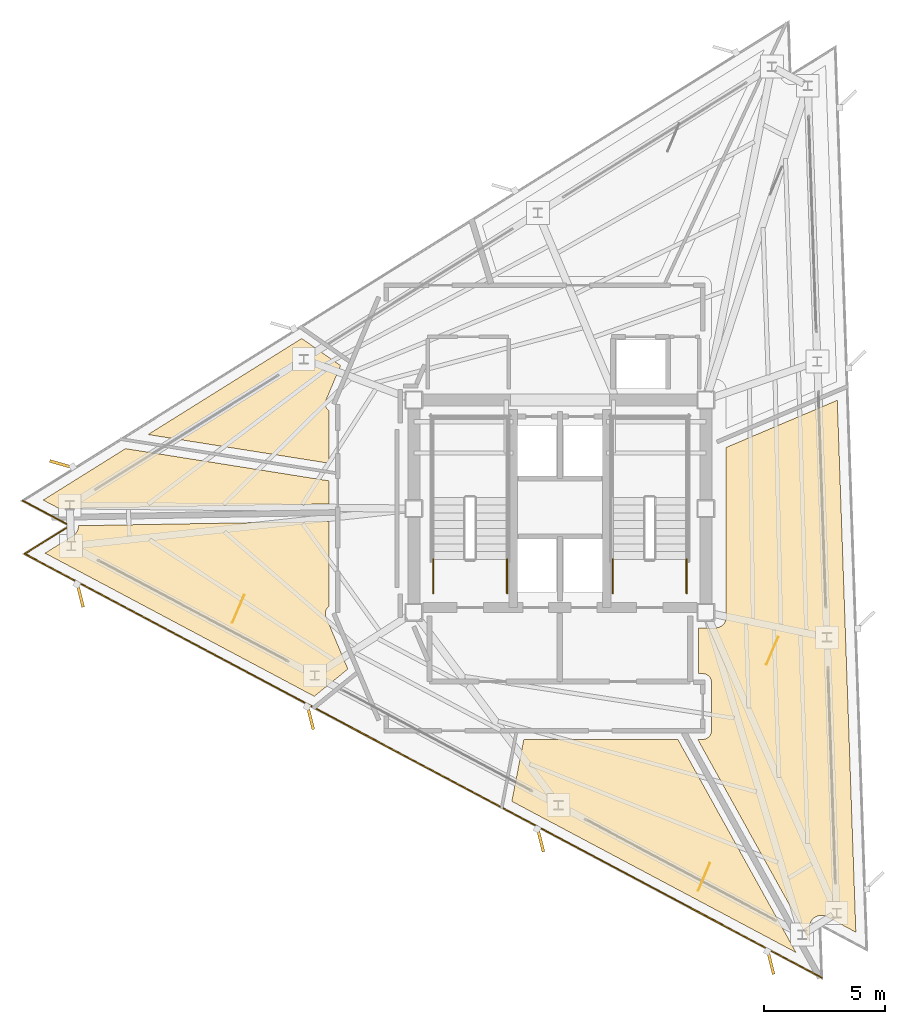
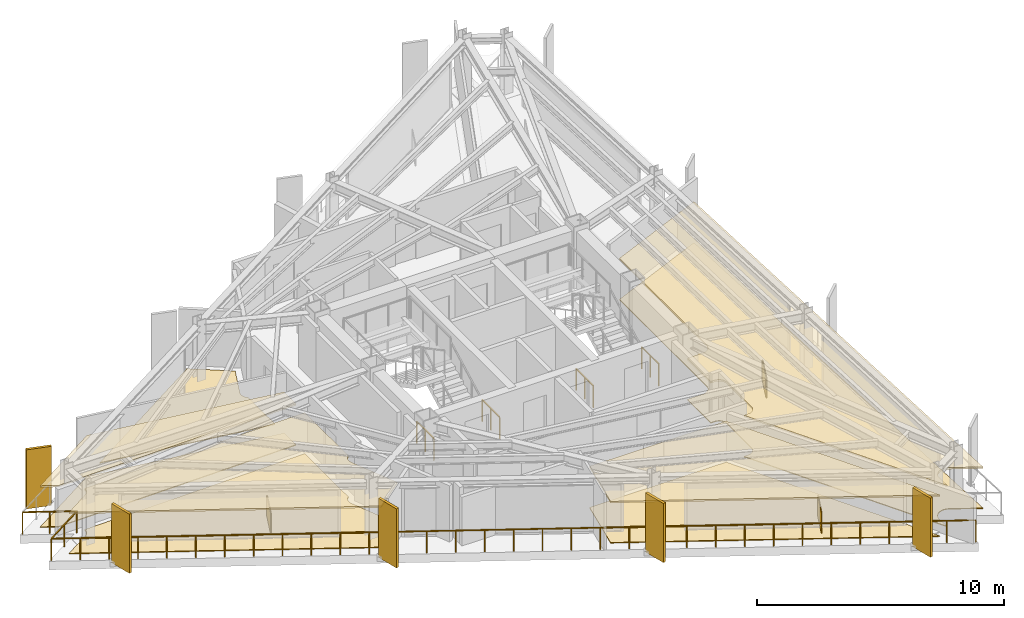
# One storey, part 11 of 13: 12 coverings, 5 railings, 5 shading devices.
"""IFC4 building model written with IfcOpenShell, lengths in metres."""

from ifc_helpers import new_model, si_unit, direction, frame, origin, origin_2d, place, context, subcontext, project, spatial, polyline, rectangle, outline, extrude, material, layer, layer_set, type_object, element, save


model = new_model("IFC4")

# Units and contexts
model_context = context("Model", 3, precision=1e-05, world=origin(), true_north=direction((0.0, 1.0)))
body_context = subcontext(model_context, "Body", "Model", "MODEL_VIEW")
ifc_project = project(units=[si_unit("LENGTHUNIT", "METRE"), si_unit("AREAUNIT", "SQUARE_METRE"), si_unit("VOLUMEUNIT", "CUBIC_METRE"), si_unit("PLANEANGLEUNIT", "RADIAN"), si_unit("MASSUNIT", "GRAM", prefix="KILO")], contexts=[model_context])

# Site, building, storey
site_placement = place(None, origin())
site = spatial("IfcSite", under=ifc_project, at=site_placement, CompositionType="ELEMENT")
building_placement = place(site_placement, origin())
building = spatial("IfcBuilding", under=site, at=building_placement, Name="Rocaltana Carrier Exchange", CompositionType="ELEMENT")
storey_placement = place(building_placement, frame((0.0, 0.0, 193.60009765625)))
storey = spatial("IfcBuildingStorey", under=building, at=storey_placement, Name="L61", CompositionType="ELEMENT", Elevation=193.60009765625)

# Coverings
ifc_material_1 = material(Name="Honed Bogota Sandstone Tile", Category="masonry")
ifc_layer_1 = layer(ifc_material_1, 0.0400390625)
ifc_layer_set_1 = layer_set([ifc_layer_1], Name="Honed Bogota Sandstone Tile")
covering_type_1 = type_object("IfcCoveringType", Name="Honed Stone Lobby Flooring 40", PredefinedType="FLOORING", material=ifc_layer_set_1)
covering_1_placement = place(storey_placement, origin())
element("IfcCovering", 1, at=covering_1_placement, inside=storey, type_object=covering_type_1, Name="L61 Peering Conference Room Finish Floor", PredefinedType="FLOORING", context=body_context, shape_type="SweptSolid", body=[
    extrude(outline(polyline([(-20.17138671875, -1.120361328125), (-20.15966796875, -1.11279296875), (-20.143310546875, -1.101318359375), (-20.121337890625, -1.084228515625), (-20.106201171875, -1.0712890625), (-20.085693359375, -1.052001953125), (-20.072021484375, -1.03759765625), (-20.0537109375, -1.0166015625), (-20.04150390625, -1.000732421875), (-20.025390625, -0.97802734375), (-20.014892578125, -0.961181640625), (-20.001220703125, -0.936767578125), (-19.9921875, -0.9189453125), (-19.98095703125, -0.893310546875), (-19.973876953125, -0.874755859375), (-19.965087890625, -0.848388671875), (-19.9599609375, -0.8291015625), (-19.9541015625, -0.8017578125), (-19.95068359375, -0.781982421875), (-19.947509765625, -0.75439453125), (-19.9462890625, -0.734375), (-19.94580078125, -0.708251953125), (-9.56005859375, -0.52685546875), (-9.56005859375, -4.052001953125), (-9.57177734375, -4.06005859375), (-9.578125, -4.064697265625), (-9.59912109375, -4.082275390625), (-9.60498046875, -4.087646484375), (-9.624267578125, -4.107177734375), (-9.629638671875, -4.113037109375), (-9.64697265625, -4.134521484375), (-9.651611328125, -4.140625), (-9.666748046875, -4.16357421875), (-9.670654296875, -4.17041015625), (-9.68359375, -4.194580078125), (-9.686767578125, -4.201904296875), (-9.697265625, -4.227294921875), (-9.69970703125, -4.234619140625), (-9.70751953125, -4.260986328125), (-9.70947265625, -4.2685546875), (-9.714599609375, -4.295654296875), (-9.7158203125, -4.30322265625), (-9.718505859375, -4.330810546875), (-9.71875, -4.33837890625), (-9.718505859375, -4.365966796875), (-9.71826171875, -4.373779296875), (-9.71533203125, -4.401123046875), (-9.714111328125, -4.408935546875), (-9.70849609375, -4.435791015625), (-9.706787109375, -4.443603515625), (-9.698486328125, -4.4697265625), (-9.69580078125, -4.47705078125), (-9.69091796875, -4.489990234375), (-8.782958984375, -6.649169921875), (-10.17626953125, -7.77734375), (-21.33203125, -1.845703125), (-20.17138671875, -1.120361328125)])), origin(), (0.0, 0.0, 1.0), 0.039794921875),
])
covering_2_placement = place(storey_placement, origin())
element("IfcCovering", 2, at=covering_2_placement, inside=storey, type_object=covering_type_1, Name="L61 Peering Conference Room Finish Floor", PredefinedType="FLOORING", context=body_context, shape_type="SweptSolid", body=[
    extrude(outline(polyline([(-1.990966796875, -12.12939453125), (-1.491455078125, -9.56005859375), (4.8876953125, -9.56005859375), (9.781494140625, -18.388916015625), (-1.990966796875, -12.12939453125)])), origin(), (0.0, 0.0, 1.0), 0.039794921875),
])
covering_3_placement = place(storey_placement, origin())
element("IfcCovering", 3, at=covering_3_placement, inside=storey, type_object=covering_type_1, Name="L61 Optical Switching Laboratory Finish Floor", PredefinedType="FLOORING", context=body_context, shape_type="SweptSolid", body=[
    extrude(outline(polyline([(5.739990234375, -6.840087890625), (5.739990234375, -4.93994140625), (6.449951171875, -4.93994140625), (6.463623046875, -4.939697265625), (6.4794921875, -4.93896484375), (6.5068359375, -4.936279296875), (6.522216796875, -4.933837890625), (6.54931640625, -4.928466796875), (6.564453125, -4.9248046875), (6.5908203125, -4.916748046875), (6.605712890625, -4.91162109375), (6.630859375, -4.90087890625), (6.64501953125, -4.894287109375), (6.66943359375, -4.88134765625), (6.682861328125, -4.873291015625), (6.705810546875, -4.85791015625), (6.71826171875, -4.8486328125), (6.739501953125, -4.8310546875), (6.751220703125, -4.820556640625), (6.7705078125, -4.80126953125), (6.781005859375, -4.78955078125), (6.798583984375, -4.768310546875), (6.807861328125, -4.755615234375), (6.8232421875, -4.73291015625), (6.831298828125, -4.719482421875), (6.84423828125, -4.695068359375), (6.850830078125, -4.680908203125), (6.861572265625, -4.655517578125), (6.86669921875, -4.640869140625), (6.874755859375, -4.614501953125), (6.87841796875, -4.59912109375), (6.8837890625, -4.572265625), (6.88623046875, -4.556884765625), (6.888916015625, -4.529296875), (6.8896484375, -4.513671875), (6.889892578125, -4.5), (6.889892578125, 2.533447265625), (11.494873046875, 4.488037109375), (12.264404296875, -17.55126953125), (11.055908203125, -16.90869140625), (11.04345703125, -16.902587890625), (11.025390625, -16.89404296875), (10.99951171875, -16.883544921875), (10.980712890625, -16.876708984375), (10.9541015625, -16.868896484375), (10.9345703125, -16.8642578125), (10.9072265625, -16.85888671875), (10.887451171875, -16.856201171875), (10.859619140625, -16.853515625), (10.83984375, -16.852783203125), (10.81201171875, -16.85302734375), (10.7919921875, -16.854248046875), (10.76416015625, -16.857421875), (10.744384765625, -16.860595703125), (10.71728515625, -16.8662109375), (10.697998046875, -16.871337890625), (10.67138671875, -16.8798828125), (10.652587890625, -16.886962890625), (10.627197265625, -16.89794921875), (10.609130859375, -16.906982421875), (10.584716796875, -16.92041015625), (10.56787109375, -16.930908203125), (10.544921875, -16.947021484375), (10.529296875, -16.959228515625), (10.508056640625, -16.977294921875), (10.49365234375, -16.990966796875), (10.474365234375, -17.01123046875), (10.461181640625, -17.0263671875), (10.444091796875, -17.04833984375), (10.4326171875, -17.064697265625), (10.41748046875, -17.088134765625), (10.407958984375, -17.105712890625), (10.3955078125, -17.130615234375), (10.38720703125, -17.148681640625), (10.37744140625, -17.1748046875), (10.37109375, -17.19384765625), (10.364013671875, -17.220703125), (10.359619140625, -17.240234375), (10.35498046875, -17.267822265625), (10.352783203125, -17.28759765625), (10.35107421875, -17.3154296875), (10.350830078125, -17.33544921875), (10.350830078125, -17.349365234375), (10.37255859375, -17.97021484375), (5.710693359375, -9.56005859375), (5.919921875, -9.56005859375), (5.93359375, -9.559814453125), (5.941650390625, -9.559326171875), (5.968994140625, -9.556640625), (5.976806640625, -9.555419921875), (6.003662109375, -9.550048828125), (6.01123046875, -9.548095703125), (6.03759765625, -9.540283203125), (6.044921875, -9.53759765625), (6.0703125, -9.527099609375), (6.077392578125, -9.523681640625), (6.101806640625, -9.5107421875), (6.1083984375, -9.506591796875), (6.131103515625, -9.491455078125), (6.137451171875, -9.48681640625), (6.15869140625, -9.46923828125), (6.16455078125, -9.464111328125), (6.18408203125, -9.444580078125), (6.189208984375, -9.438720703125), (6.206787109375, -9.41748046875), (6.21142578125, -9.4111328125), (6.226806640625, -9.388427734375), (6.230712890625, -9.381591796875), (6.24365234375, -9.357421875), (6.2470703125, -9.350341796875), (6.257568359375, -9.324951171875), (6.26025390625, -9.317626953125), (6.268310546875, -9.291259765625), (6.27001953125, -9.28369140625), (6.275390625, -9.256591796875), (6.276611328125, -9.248779296875), (6.279296875, -9.2216796875), (6.27978515625, -9.213623046875), (6.280029296875, -9.199951171875), (6.280029296875, -7.199951171875), (6.27978515625, -7.186279296875), (6.279296875, -7.178466796875), (6.276611328125, -7.151123046875), (6.275390625, -7.143310546875), (6.27001953125, -7.116455078125), (6.268310546875, -7.108642578125), (6.26025390625, -7.08251953125), (6.257568359375, -7.0751953125), (6.2470703125, -7.0498046875), (6.24365234375, -7.04248046875), (6.230712890625, -7.018310546875), (6.226806640625, -7.01171875), (6.21142578125, -6.98876953125), (6.206787109375, -6.982421875), (6.189208984375, -6.961181640625), (6.18408203125, -6.955322265625), (6.16455078125, -6.93603515625), (6.15869140625, -6.9306640625), (6.137451171875, -6.913330078125), (6.131103515625, -6.90869140625), (6.1083984375, -6.893310546875), (6.101806640625, -6.889404296875), (6.077392578125, -6.876220703125), (6.0703125, -6.873046875), (6.044921875, -6.862548828125), (6.03759765625, -6.85986328125), (6.01123046875, -6.851806640625), (6.003662109375, -6.849853515625), (5.976806640625, -6.844482421875), (5.968994140625, -6.843505859375), (5.941650390625, -6.8408203125), (5.93359375, -6.84033203125), (5.919921875, -6.840087890625), (5.739990234375, -6.840087890625)])), origin(), (0.0, 0.0, 1.0), 0.039794921875),
])
covering_4_placement = place(storey_placement, origin())
element("IfcCovering", 4, at=covering_4_placement, inside=storey, type_object=covering_type_1, Name="L61 Incident Briefing Room Finish Floor", PredefinedType="FLOORING", context=body_context, shape_type="SweptSolid", body=[
    extrude(outline(polyline([(-10.69384765625, 7.048583984375), (-9.087890625, 5.923828125), (-9.69091796875, 4.489990234375), (-9.69580078125, 4.47705078125), (-9.698486328125, 4.4697265625), (-9.706787109375, 4.443603515625), (-9.70849609375, 4.435791015625), (-9.714111328125, 4.408935546875), (-9.71533203125, 4.401123046875), (-9.71826171875, 4.373779296875), (-9.718505859375, 4.365966796875), (-9.71875, 4.33837890625), (-9.718505859375, 4.330810546875), (-9.7158203125, 4.30322265625), (-9.714599609375, 4.295654296875), (-9.70947265625, 4.2685546875), (-9.70751953125, 4.260986328125), (-9.69970703125, 4.234619140625), (-9.697265625, 4.227294921875), (-9.686767578125, 4.201904296875), (-9.68359375, 4.194580078125), (-9.670654296875, 4.17041015625), (-9.666748046875, 4.16357421875), (-9.651611328125, 4.140625), (-9.64697265625, 4.134521484375), (-9.629638671875, 4.113037109375), (-9.624267578125, 4.107177734375), (-9.60498046875, 4.087646484375), (-9.59912109375, 4.082275390625), (-9.578125, 4.064697265625), (-9.57177734375, 4.06005859375), (-9.56005859375, 4.052001953125), (-9.56005859375, 1.878662109375), (-17.065185546875, 3.0673828125), (-10.69384765625, 7.048583984375)])), origin(), (0.0, 0.0, 1.0), 0.039794921875),
])
covering_5_placement = place(storey_placement, origin())
element("IfcCovering", 5, at=covering_5_placement, inside=storey, type_object=covering_type_1, Name="L61 Carrier Peering Suite Finish Floor", PredefinedType="FLOORING", context=body_context, shape_type="SweptSolid", body=[
    extrude(outline(polyline([(-21.40869140625, 0.35302734375), (-17.995849609375, 2.48583984375), (-9.56005859375, 1.149658203125), (-9.56005859375, 0.193115234375), (-20.740966796875, -0.001953125), (-21.40869140625, 0.35302734375)])), origin(), (0.0, 0.0, 1.0), 0.039794921875),
])
ifc_material_2 = material(Name="Anodised Aluminium 6063-T6", Category="aluminium")
ifc_layer_2 = layer(ifc_material_2, 0.0849609375)
ifc_layer_set_2 = layer_set([ifc_layer_2], Name="Anodised Aluminium 6063-T6")
covering_type_2 = type_object("IfcCoveringType", Name="Linear Baffle Acoustic Ceiling 85", PredefinedType="CEILING", material=ifc_layer_set_2)
covering_6_placement = place(storey_placement, frame((0.0, 0.0, 1.98291015625)))
element("IfcCovering", 6, at=covering_6_placement, inside=storey, type_object=covering_type_2, Name="L61 Peering Conference Room Acoustic Ceiling", PredefinedType="CEILING", context=body_context, shape_type="SweptSolid", body=[
    extrude(outline(polyline([(-20.17138671875, -1.120361328125), (-20.15966796875, -1.11279296875), (-20.143310546875, -1.101318359375), (-20.121337890625, -1.084228515625), (-20.106201171875, -1.0712890625), (-20.085693359375, -1.052001953125), (-20.072021484375, -1.03759765625), (-20.0537109375, -1.0166015625), (-20.04150390625, -1.000732421875), (-20.025390625, -0.97802734375), (-20.014892578125, -0.961181640625), (-20.001220703125, -0.936767578125), (-19.9921875, -0.9189453125), (-19.98095703125, -0.893310546875), (-19.973876953125, -0.874755859375), (-19.965087890625, -0.848388671875), (-19.9599609375, -0.8291015625), (-19.9541015625, -0.8017578125), (-19.95068359375, -0.781982421875), (-19.947509765625, -0.75439453125), (-19.9462890625, -0.734375), (-19.94580078125, -0.708251953125), (-9.56005859375, -0.52685546875), (-9.56005859375, -4.052001953125), (-9.57177734375, -4.06005859375), (-9.578125, -4.064697265625), (-9.59912109375, -4.082275390625), (-9.60498046875, -4.087646484375), (-9.624267578125, -4.107177734375), (-9.629638671875, -4.113037109375), (-9.64697265625, -4.134521484375), (-9.651611328125, -4.140625), (-9.666748046875, -4.16357421875), (-9.670654296875, -4.17041015625), (-9.68359375, -4.194580078125), (-9.686767578125, -4.201904296875), (-9.697265625, -4.227294921875), (-9.69970703125, -4.234619140625), (-9.70751953125, -4.260986328125), (-9.70947265625, -4.2685546875), (-9.714599609375, -4.295654296875), (-9.7158203125, -4.30322265625), (-9.718505859375, -4.330810546875), (-9.71875, -4.33837890625), (-9.718505859375, -4.365966796875), (-9.71826171875, -4.373779296875), (-9.71533203125, -4.401123046875), (-9.714111328125, -4.408935546875), (-9.70849609375, -4.435791015625), (-9.706787109375, -4.443603515625), (-9.698486328125, -4.4697265625), (-9.69580078125, -4.47705078125), (-9.69091796875, -4.489990234375), (-8.782958984375, -6.649169921875), (-10.17626953125, -7.77734375), (-21.33203125, -1.845703125), (-20.17138671875, -1.120361328125)])), origin(), (0.0, 0.0, 1.0), 0.0849609375),
])
covering_7_placement = place(storey_placement, frame((0.0, 0.0, 1.98291015625)))
element("IfcCovering", 7, at=covering_7_placement, inside=storey, type_object=covering_type_2, Name="L61 Peering Conference Room Acoustic Ceiling", PredefinedType="CEILING", context=body_context, shape_type="SweptSolid", body=[
    extrude(outline(polyline([(-1.990966796875, -12.12939453125), (-1.491455078125, -9.56005859375), (4.8876953125, -9.56005859375), (9.781494140625, -18.388916015625), (-1.990966796875, -12.12939453125)])), origin(), (0.0, 0.0, 1.0), 0.0849609375),
])
covering_8_placement = place(storey_placement, frame((0.0, 0.0, 1.98291015625)))
element("IfcCovering", 8, at=covering_8_placement, inside=storey, type_object=covering_type_2, Name="L61 Optical Switching Laboratory Acoustic Ceiling", PredefinedType="CEILING", context=body_context, shape_type="SweptSolid", body=[
    extrude(outline(polyline([(5.739990234375, -6.840087890625), (5.739990234375, -4.93994140625), (6.449951171875, -4.93994140625), (6.463623046875, -4.939697265625), (6.4794921875, -4.93896484375), (6.5068359375, -4.936279296875), (6.522216796875, -4.933837890625), (6.54931640625, -4.928466796875), (6.564453125, -4.9248046875), (6.5908203125, -4.916748046875), (6.605712890625, -4.91162109375), (6.630859375, -4.90087890625), (6.64501953125, -4.894287109375), (6.66943359375, -4.88134765625), (6.682861328125, -4.873291015625), (6.705810546875, -4.85791015625), (6.71826171875, -4.8486328125), (6.739501953125, -4.8310546875), (6.751220703125, -4.820556640625), (6.7705078125, -4.80126953125), (6.781005859375, -4.78955078125), (6.798583984375, -4.768310546875), (6.807861328125, -4.755615234375), (6.8232421875, -4.73291015625), (6.831298828125, -4.719482421875), (6.84423828125, -4.695068359375), (6.850830078125, -4.680908203125), (6.861572265625, -4.655517578125), (6.86669921875, -4.640869140625), (6.874755859375, -4.614501953125), (6.87841796875, -4.59912109375), (6.8837890625, -4.572265625), (6.88623046875, -4.556884765625), (6.888916015625, -4.529296875), (6.8896484375, -4.513671875), (6.889892578125, -4.5), (6.889892578125, 2.533447265625), (11.494873046875, 4.488037109375), (12.264404296875, -17.55126953125), (11.055908203125, -16.90869140625), (11.04345703125, -16.902587890625), (11.025390625, -16.89404296875), (10.99951171875, -16.883544921875), (10.980712890625, -16.876708984375), (10.9541015625, -16.868896484375), (10.9345703125, -16.8642578125), (10.9072265625, -16.85888671875), (10.887451171875, -16.856201171875), (10.859619140625, -16.853515625), (10.83984375, -16.852783203125), (10.81201171875, -16.85302734375), (10.7919921875, -16.854248046875), (10.76416015625, -16.857421875), (10.744384765625, -16.860595703125), (10.71728515625, -16.8662109375), (10.697998046875, -16.871337890625), (10.67138671875, -16.8798828125), (10.652587890625, -16.886962890625), (10.627197265625, -16.89794921875), (10.609130859375, -16.906982421875), (10.584716796875, -16.92041015625), (10.56787109375, -16.930908203125), (10.544921875, -16.947021484375), (10.529296875, -16.959228515625), (10.508056640625, -16.977294921875), (10.49365234375, -16.990966796875), (10.474365234375, -17.01123046875), (10.461181640625, -17.0263671875), (10.444091796875, -17.04833984375), (10.4326171875, -17.064697265625), (10.41748046875, -17.088134765625), (10.407958984375, -17.105712890625), (10.3955078125, -17.130615234375), (10.38720703125, -17.148681640625), (10.37744140625, -17.1748046875), (10.37109375, -17.19384765625), (10.364013671875, -17.220703125), (10.359619140625, -17.240234375), (10.35498046875, -17.267822265625), (10.352783203125, -17.28759765625), (10.35107421875, -17.3154296875), (10.350830078125, -17.33544921875), (10.350830078125, -17.349365234375), (10.37255859375, -17.97021484375), (5.710693359375, -9.56005859375), (5.919921875, -9.56005859375), (5.93359375, -9.559814453125), (5.941650390625, -9.559326171875), (5.968994140625, -9.556640625), (5.976806640625, -9.555419921875), (6.003662109375, -9.550048828125), (6.01123046875, -9.548095703125), (6.03759765625, -9.540283203125), (6.044921875, -9.53759765625), (6.0703125, -9.527099609375), (6.077392578125, -9.523681640625), (6.101806640625, -9.5107421875), (6.1083984375, -9.506591796875), (6.131103515625, -9.491455078125), (6.137451171875, -9.48681640625), (6.15869140625, -9.46923828125), (6.16455078125, -9.464111328125), (6.18408203125, -9.444580078125), (6.189208984375, -9.438720703125), (6.206787109375, -9.41748046875), (6.21142578125, -9.4111328125), (6.226806640625, -9.388427734375), (6.230712890625, -9.381591796875), (6.24365234375, -9.357421875), (6.2470703125, -9.350341796875), (6.257568359375, -9.324951171875), (6.26025390625, -9.317626953125), (6.268310546875, -9.291259765625), (6.27001953125, -9.28369140625), (6.275390625, -9.256591796875), (6.276611328125, -9.248779296875), (6.279296875, -9.2216796875), (6.27978515625, -9.213623046875), (6.280029296875, -9.199951171875), (6.280029296875, -7.199951171875), (6.27978515625, -7.186279296875), (6.279296875, -7.178466796875), (6.276611328125, -7.151123046875), (6.275390625, -7.143310546875), (6.27001953125, -7.116455078125), (6.268310546875, -7.108642578125), (6.26025390625, -7.08251953125), (6.257568359375, -7.0751953125), (6.2470703125, -7.0498046875), (6.24365234375, -7.04248046875), (6.230712890625, -7.018310546875), (6.226806640625, -7.01171875), (6.21142578125, -6.98876953125), (6.206787109375, -6.982421875), (6.189208984375, -6.961181640625), (6.18408203125, -6.955322265625), (6.16455078125, -6.93603515625), (6.15869140625, -6.9306640625), (6.137451171875, -6.913330078125), (6.131103515625, -6.90869140625), (6.1083984375, -6.893310546875), (6.101806640625, -6.889404296875), (6.077392578125, -6.876220703125), (6.0703125, -6.873046875), (6.044921875, -6.862548828125), (6.03759765625, -6.85986328125), (6.01123046875, -6.851806640625), (6.003662109375, -6.849853515625), (5.976806640625, -6.844482421875), (5.968994140625, -6.843505859375), (5.941650390625, -6.8408203125), (5.93359375, -6.84033203125), (5.919921875, -6.840087890625), (5.739990234375, -6.840087890625)])), origin(), (0.0, 0.0, 1.0), 0.0849609375),
])
covering_9_placement = place(storey_placement, frame((0.0, 0.0, 1.98291015625)))
element("IfcCovering", 9, at=covering_9_placement, inside=storey, type_object=covering_type_2, Name="L61 Carrier Peering Suite Acoustic Ceiling", PredefinedType="CEILING", context=body_context, shape_type="SweptSolid", body=[
    extrude(outline(polyline([(-21.40869140625, 0.35302734375), (-17.995849609375, 2.48583984375), (-9.56005859375, 1.149658203125), (-9.56005859375, 0.193115234375), (-20.740966796875, -0.001953125), (-21.40869140625, 0.35302734375)])), origin(), (0.0, 0.0, 1.0), 0.0849609375),
])

# Railings
ifc_material_3 = material(Name="Powder-Coated Aluminium 6063-T6", Category="aluminium")
ifc_layer_3 = layer(ifc_material_3, 0.048095703125)
ifc_layer_set_3 = layer_set([ifc_layer_3], Name="Powder-Coated Aluminium 6063-T6")
railing_type_1 = type_object("IfcRailingType", Name="Stair Well Guardrail 1100", PredefinedType="GUARDRAIL", material=ifc_layer_set_3)
for number, where, name in (
    (10, (-2.18994140625, -3.5, 0.0), "L61 ST-1 stair guard 8"),
    (11, (-5.25, -3.5, 0.0), "L61 ST-1 stair guard 9"),
    (12, (5.25, -3.5, 0.0), "L61 ST-2 stair guard 8"),
    (13, (2.18994140625, -3.5, 0.0), "L61 ST-2 stair guard 9"),
):
    element("IfcRailing", number, at=place(storey_placement, frame(where)), inside=storey, type_object=railing_type_1, Name=name, PredefinedType="GUARDRAIL", context=body_context, shape_type="SweptSolid", body=[
        extrude(rectangle(XDim=0.048095703125, YDim=0.048095703125, at=origin_2d()), frame((0.0, 0.0, 1.076171875), z_axis=(0.0, 1.0, 0.0), x_axis=(-1.0, 0.0, 0.0)), (0.0, 0.0, 1.0), 1.39990234375),
        extrude(rectangle(XDim=0.0419921875, YDim=0.0419921875, at=origin_2d()), origin(), (0.0, 0.0, 1.0), 1.052001953125),
        extrude(rectangle(XDim=0.0419921875, YDim=0.0419921875, at=origin_2d()), frame((0.0, 0.699951171875, 0.0)), (0.0, 0.0, 1.0), 1.052001953125),
        extrude(rectangle(XDim=0.0419921875, YDim=0.0419921875, at=origin_2d()), frame((0.0, 1.39990234375, 0.0)), (0.0, 0.0, 1.0), 1.052001953125),
    ])

# Coverings
ifc_material_4 = material(Name="Honed Piedra Muneca Sandstone", Category="masonry")
ifc_layer_4 = layer(ifc_material_4, 0.034912109375)
ifc_layer_set_4 = layer_set([ifc_layer_4], Name="Honed Piedra Muneca Sandstone")
covering_type_3 = type_object("IfcCoveringType", Name="Stone Facade Cladding 35", PredefinedType="CLADDING", material=ifc_layer_set_4)
for number, where, z_axis, x_axis, name in (
    (14, (-13.32666015625, -4.152099609375, 0.0), (0.0, 0.0, 1.0), (0.390731128489, 0.920504853452, 0.0), "L61 Stone Facade Cladding Panel 1"),
    (15, (5.970947265625, -15.25927734375, 0.0), (0.0, 0.0, 1.0), (0.390731128489, 0.920504853452, 0.0), "L61 Stone Facade Cladding Panel 3"),
    (16, (8.798583984375, -5.889892578125, 0.0), (0.0, 0.0, 1.0), (0.390731128489, 0.920504853452, 0.0), "L61 Stone Facade Cladding Panel 4"),
):
    element("IfcCovering", number, at=place(storey_placement, frame(where, z_axis=z_axis, x_axis=x_axis)), inside=storey, type_object=covering_type_3, Name=name, PredefinedType="CLADDING", context=body_context, shape_type="SweptSolid", body=[
        extrude(rectangle(XDim=1.25, YDim=0.034912109375, at=origin_2d()), origin(), (0.0, 0.0, 1.0), 1.050048828125),
    ])

# Shading devices
ifc_material_5 = material(Name="Honed Bogota Sandstone & Concrete C45/55", Category="masonry")
ifc_layer_5 = layer(ifc_material_5, 0.1201171875)
ifc_layer_set_5 = layer_set([ifc_layer_5], Name="Honed Bogota Sandstone & Concrete C45/55")
shading_device_type = type_object("IfcShadingDeviceType", Name="Upper Sandstone Shading Fin 1050x120", PredefinedType="USERDEFINED", material=ifc_layer_set_5)
for number, where, z_axis, x_axis, name in (
    (17, (-20.62939453125, 1.8310546875, -0.1201171875), (0.0, 0.0, 1.0), (-0.961261695938, 0.275637355817, 0.0), "L61 Sandstone Vertical Fin F2-04"),
    (18, (-19.87841796875, -3.5703125, -0.1201171875), (0.0, 0.0, 1.0), (0.2419218956, -0.970295726276, 0.0), "L61 Sandstone Vertical Fin F3-01"),
    (19, (-10.342529296875, -8.640625, -0.1201171875), (0.0, 0.0, 1.0), (0.2419218956, -0.970295726276, 0.0), "L61 Sandstone Vertical Fin F3-02"),
    (20, (-0.806884765625, -13.7109375, -0.1201171875), (0.0, 0.0, 1.0), (0.2419218956, -0.970295726276, 0.0), "L61 Sandstone Vertical Fin F3-03"),
    (21, (8.72900390625, -18.78125, -0.1201171875), (0.0, 0.0, 1.0), (0.2419218956, -0.970295726276, 0.0), "L61 Sandstone Vertical Fin F3-04"),
):
    element("IfcShadingDevice", number, at=place(storey_placement, frame(where, z_axis=z_axis, x_axis=x_axis)), inside=storey, type_object=shading_device_type, Name=name, ObjectType="FIN", PredefinedType="USERDEFINED", context=body_context, shape_type="SweptSolid", body=[
        extrude(rectangle(XDim=1.050048828125, YDim=0.1201171875, at=origin_2d()), origin(), (0.0, 0.0, 1.0), 2.91796875),
    ])

# Railing
ifc_material_6 = material(Name="Powder-Coated Aluminium 6063-T6", Category="aluminium")
ifc_layer_6 = layer(ifc_material_6, 0.06005859375)
ifc_layer_set_6 = layer_set([ifc_layer_6], Name="Powder-Coated Aluminium 6063-T6")
railing_type_2 = type_object("IfcRailingType", Name="Wind-Floor & Terrace Perimeter Guardrail 1100", PredefinedType="GUARDRAIL", material=ifc_layer_set_6)
railing_placement = place(storey_placement, frame((10.84375, -19.429443359375, 0.0)))
element("IfcRailing", 22, at=railing_placement, inside=storey, type_object=railing_type_2, Name="L61 Perimeter Balcony Guardrail 1", PredefinedType="GUARDRAIL", context=body_context, shape_type="SweptSolid", body=[
    extrude(rectangle(XDim=0.048095703125, YDim=0.048095703125, at=origin_2d()), frame((0.0, 0.0, 1.076171875), z_axis=(-0.882949211739, 0.469468518103, 0.0), x_axis=(-0.469468518103, -0.882949211739, 0.0)), (0.0, 0.0, 1.0), 37.39208984375),
    extrude(rectangle(XDim=0.048095703125, YDim=0.048095703125, at=origin_2d()), frame((-33.015380859375, 17.554443359375, 1.076171875), z_axis=(0.848010771987, 0.52997899071, 0.0), x_axis=(-0.52997899071, 0.848010771987, 0.0)), (0.0, 0.0, 1.0), 2.2001953125),
    extrude(rectangle(XDim=0.048095703125, YDim=0.048095703125, at=origin_2d()), frame((-31.149658203125, 18.720458984375, 1.076171875), z_axis=(-0.882960484464, 0.4694473164, 0.0), x_axis=(-0.4694473164, -0.882960484464, 0.0)), (0.0, 0.0, 1.0), 2.199951171875),
    extrude(rectangle(XDim=0.0419921875, YDim=0.0419921875, at=origin_2d()), origin(), (0.0, 0.0, 1.0), 1.052001953125),
    extrude(rectangle(XDim=0.0419921875, YDim=0.0419921875, at=origin_2d()), frame((-1.03173828125, 0.548583984375, 0.0)), (0.0, 0.0, 1.0), 1.052001953125),
    extrude(rectangle(XDim=0.0419921875, YDim=0.0419921875, at=origin_2d()), frame((-2.0634765625, 1.09716796875, 0.0)), (0.0, 0.0, 1.0), 1.052001953125),
    extrude(rectangle(XDim=0.0419921875, YDim=0.0419921875, at=origin_2d()), frame((-3.09521484375, 1.645751953125, 0.0)), (0.0, 0.0, 1.0), 1.052001953125),
    extrude(rectangle(XDim=0.0419921875, YDim=0.0419921875, at=origin_2d()), frame((-4.126953125, 2.1943359375, 0.0)), (0.0, 0.0, 1.0), 1.052001953125),
    extrude(rectangle(XDim=0.0419921875, YDim=0.0419921875, at=origin_2d()), frame((-5.15869140625, 2.742919921875, 0.0)), (0.0, 0.0, 1.0), 1.052001953125),
    extrude(rectangle(XDim=0.0419921875, YDim=0.0419921875, at=origin_2d()), frame((-6.1904296875, 3.29150390625, 0.0)), (0.0, 0.0, 1.0), 1.052001953125),
    extrude(rectangle(XDim=0.0419921875, YDim=0.0419921875, at=origin_2d()), frame((-7.22216796875, 3.840087890625, 0.0)), (0.0, 0.0, 1.0), 1.052001953125),
    extrude(rectangle(XDim=0.0419921875, YDim=0.0419921875, at=origin_2d()), frame((-8.25390625, 4.388671875, 0.0)), (0.0, 0.0, 1.0), 1.052001953125),
    extrude(rectangle(XDim=0.0419921875, YDim=0.0419921875, at=origin_2d()), frame((-9.28564453125, 4.937255859375, 0.0)), (0.0, 0.0, 1.0), 1.052001953125),
    extrude(rectangle(XDim=0.0419921875, YDim=0.0419921875, at=origin_2d()), frame((-10.3173828125, 5.48583984375, 0.0)), (0.0, 0.0, 1.0), 1.052001953125),
    extrude(rectangle(XDim=0.0419921875, YDim=0.0419921875, at=origin_2d()), frame((-11.34912109375, 6.034423828125, 0.0)), (0.0, 0.0, 1.0), 1.052001953125),
    extrude(rectangle(XDim=0.0419921875, YDim=0.0419921875, at=origin_2d()), frame((-12.380859375, 6.5830078125, 0.0)), (0.0, 0.0, 1.0), 1.052001953125),
    extrude(rectangle(XDim=0.0419921875, YDim=0.0419921875, at=origin_2d()), frame((-13.41259765625, 7.131591796875, 0.0)), (0.0, 0.0, 1.0), 1.052001953125),
    extrude(rectangle(XDim=0.0419921875, YDim=0.0419921875, at=origin_2d()), frame((-14.4443359375, 7.68017578125, 0.0)), (0.0, 0.0, 1.0), 1.052001953125),
    extrude(rectangle(XDim=0.0419921875, YDim=0.0419921875, at=origin_2d()), frame((-15.47607421875, 8.228759765625, 0.0)), (0.0, 0.0, 1.0), 1.052001953125),
    extrude(rectangle(XDim=0.0419921875, YDim=0.0419921875, at=origin_2d()), frame((-16.5078125, 8.77734375, 0.0)), (0.0, 0.0, 1.0), 1.052001953125),
    extrude(rectangle(XDim=0.0419921875, YDim=0.0419921875, at=origin_2d()), frame((-17.539306640625, 9.32568359375, 0.0)), (0.0, 0.0, 1.0), 1.052001953125),
    extrude(rectangle(XDim=0.0419921875, YDim=0.0419921875, at=origin_2d()), frame((-18.571044921875, 9.874267578125, 0.0)), (0.0, 0.0, 1.0), 1.052001953125),
    extrude(rectangle(XDim=0.0419921875, YDim=0.0419921875, at=origin_2d()), frame((-19.602783203125, 10.4228515625, 0.0)), (0.0, 0.0, 1.0), 1.052001953125),
    extrude(rectangle(XDim=0.0419921875, YDim=0.0419921875, at=origin_2d()), frame((-20.634521484375, 10.971435546875, 0.0)), (0.0, 0.0, 1.0), 1.052001953125),
    extrude(rectangle(XDim=0.0419921875, YDim=0.0419921875, at=origin_2d()), frame((-21.666259765625, 11.52001953125, 0.0)), (0.0, 0.0, 1.0), 1.052001953125),
    extrude(rectangle(XDim=0.0419921875, YDim=0.0419921875, at=origin_2d()), frame((-22.697998046875, 12.068603515625, 0.0)), (0.0, 0.0, 1.0), 1.052001953125),
    extrude(rectangle(XDim=0.0419921875, YDim=0.0419921875, at=origin_2d()), frame((-23.729736328125, 12.6171875, 0.0)), (0.0, 0.0, 1.0), 1.052001953125),
    extrude(rectangle(XDim=0.0419921875, YDim=0.0419921875, at=origin_2d()), frame((-24.761474609375, 13.165771484375, 0.0)), (0.0, 0.0, 1.0), 1.052001953125),
    extrude(rectangle(XDim=0.0419921875, YDim=0.0419921875, at=origin_2d()), frame((-25.793212890625, 13.71435546875, 0.0)), (0.0, 0.0, 1.0), 1.052001953125),
    extrude(rectangle(XDim=0.0419921875, YDim=0.0419921875, at=origin_2d()), frame((-26.824951171875, 14.262939453125, 0.0)), (0.0, 0.0, 1.0), 1.052001953125),
    extrude(rectangle(XDim=0.0419921875, YDim=0.0419921875, at=origin_2d()), frame((-27.856689453125, 14.8115234375, 0.0)), (0.0, 0.0, 1.0), 1.052001953125),
    extrude(rectangle(XDim=0.0419921875, YDim=0.0419921875, at=origin_2d()), frame((-28.888427734375, 15.360107421875, 0.0)), (0.0, 0.0, 1.0), 1.052001953125),
    extrude(rectangle(XDim=0.0419921875, YDim=0.0419921875, at=origin_2d()), frame((-29.920166015625, 15.90869140625, 0.0)), (0.0, 0.0, 1.0), 1.052001953125),
    extrude(rectangle(XDim=0.0419921875, YDim=0.0419921875, at=origin_2d()), frame((-30.951904296875, 16.457275390625, 0.0)), (0.0, 0.0, 1.0), 1.052001953125),
    extrude(rectangle(XDim=0.0419921875, YDim=0.0419921875, at=origin_2d()), frame((-31.983642578125, 17.005859375, 0.0)), (0.0, 0.0, 1.0), 1.052001953125),
    extrude(rectangle(XDim=0.0419921875, YDim=0.0419921875, at=origin_2d()), frame((-33.015380859375, 17.554443359375, 0.0)), (0.0, 0.0, 1.0), 1.052001953125),
    extrude(rectangle(XDim=0.0419921875, YDim=0.0419921875, at=origin_2d()), frame((-32.08251953125, 18.137451171875, 0.0)), (0.0, 0.0, 1.0), 1.052001953125),
    extrude(rectangle(XDim=0.0419921875, YDim=0.0419921875, at=origin_2d()), frame((-31.149658203125, 18.720458984375, 0.0)), (0.0, 0.0, 1.0), 1.052001953125),
    extrude(rectangle(XDim=0.0419921875, YDim=0.0419921875, at=origin_2d()), frame((-32.120849609375, 19.23681640625, 0.0)), (0.0, 0.0, 1.0), 1.052001953125),
    extrude(rectangle(XDim=0.0419921875, YDim=0.0419921875, at=origin_2d()), frame((-33.092041015625, 19.753173828125, 0.0)), (0.0, 0.0, 1.0), 1.052001953125),
])

save(model, "model.ifc")
